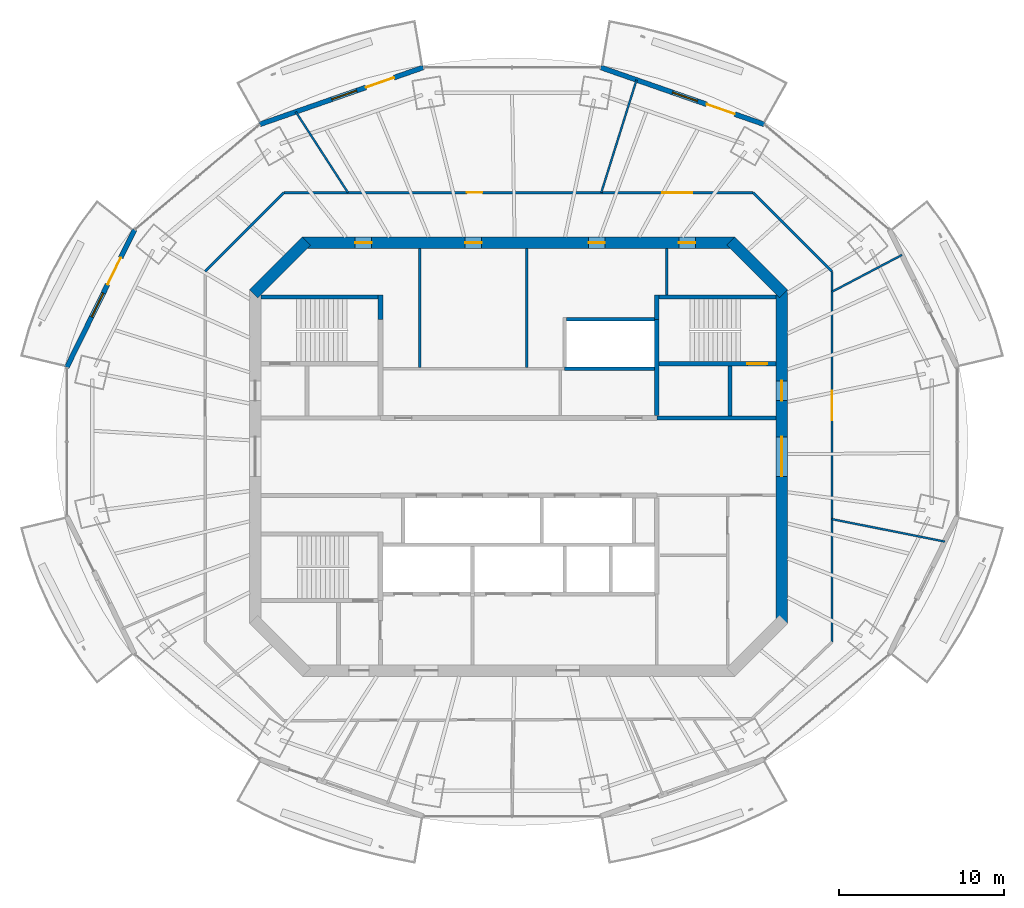
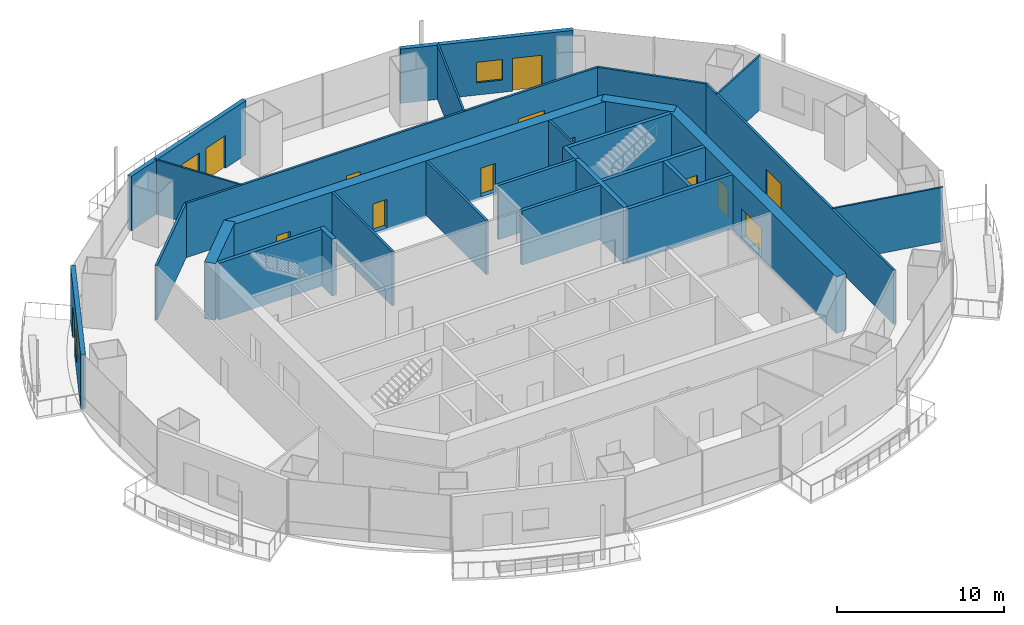
# One storey, part 10 of 16: 28 walls, 13 doors, 3 windows, 16 openings.
"""IFC4 building model written with IfcOpenShell, lengths in metres."""

from ifc_helpers import new_model, si_unit, direction, frame, frame_2d, origin, place, context, subcontext, project, spatial, rectangle, extrude, material, layer, layer_set, type_object, element, fill, save


model = new_model("IFC4")

# Units and contexts
model_context = context("Model", 3, precision=1e-05, world=origin(), true_north=direction((0.0, 1.0)))
body_context = subcontext(model_context, "Body", "Model", "MODEL_VIEW")
ifc_project = project(units=[si_unit("LENGTHUNIT", "METRE"), si_unit("AREAUNIT", "SQUARE_METRE"), si_unit("VOLUMEUNIT", "CUBIC_METRE"), si_unit("PLANEANGLEUNIT", "RADIAN"), si_unit("MASSUNIT", "GRAM", prefix="KILO")], contexts=[model_context])

# Site, building, storey
site_placement = place(None, origin())
site = spatial("IfcSite", under=ifc_project, at=site_placement, CompositionType="ELEMENT")
building_placement = place(site_placement, origin())
building = spatial("IfcBuilding", under=site, at=building_placement, Name="Marenthal Gate Tower", CompositionType="ELEMENT")
storey_placement = place(building_placement, frame((0.0, 0.0, 326.0)))
storey = spatial("IfcBuildingStorey", under=building, at=storey_placement, Name="L73", CompositionType="ELEMENT", Elevation=326.0)

# Wall, openings, doors
ifc_material_1 = material(Name="Concrete 60 MPa", Category="concrete")
ifc_layer_1 = layer(ifc_material_1, 0.699951171875)
ifc_layer_set_1 = layer_set([ifc_layer_1], Name="Core shear wall 700")
wall_type_1 = type_object("IfcWallType", Name="Core shear wall 700", PredefinedType="SHEAR", material=ifc_layer_set_1)
wall_1_placement = place(storey_placement, frame((16.0, -10.14501953125, -0.179931640625), z_axis=(0.0, 0.0, 1.0), x_axis=(0.0, 1.0, 0.0)))
wall_1 = element("IfcWall", 1, at=wall_1_placement, inside=storey, type_object=wall_type_1, Name="Core wall 02", PredefinedType="SHEAR", context=body_context, shape_type="SweptSolid", body=[
    extrude(rectangle(XDim=20.2900390625, YDim=0.699951171875, at=frame_2d((10.14501953125, 0.0))), origin(), (0.0, 0.0, 1.0), 4.14990234375),
])
opening_1_placement = place(wall_1_placement, frame((8.945068359375, 0.0, 0.179931640625)))
opening_1 = element("IfcOpeningElement", 2, at=opening_1_placement, cuts=wall_1, Name="Opening D003.02", PredefinedType="OPENING", context=body_context, shape_type="SweptSolid", body=[
    extrude(rectangle(XDim=2.39990234375, YDim=2.10009765625, at=frame_2d((1.199951171875, 1.050048828125))), frame((0.0, 0.35986328125, 0.0), z_axis=(0.0, -1.0, 0.0), x_axis=(1.0, 0.0, 0.0)), (0.0, 0.0, 1.0), 0.719970703125),
])
opening_2_placement = place(wall_1_placement, frame((13.544921875, 0.0, 0.179931640625)))
opening_2 = element("IfcOpeningElement", 3, at=opening_2_placement, cuts=wall_1, Name="Opening D001.05", PredefinedType="OPENING", context=body_context, shape_type="SweptSolid", body=[
    extrude(rectangle(XDim=1.199951171875, YDim=2.10009765625, at=frame_2d((0.60009765625, 1.050048828125))), frame((0.0, 0.35986328125, 0.0), z_axis=(0.0, -1.0, 0.0), x_axis=(1.0, 0.0, 0.0)), (0.0, 0.0, 1.0), 0.719970703125),
])
ifc_material_2 = material(Name="Steel fire door", Category="steel")
door_type_1 = type_object("IfcDoorType", Name="Double fire door FD 45 2400 x 2100", OperationType="DOUBLE_DOOR_SINGLE_SWING", PredefinedType="DOOR", material=ifc_material_2)
door_1_placement = place(opening_1_placement, origin())
door_1 = element("IfcDoor", 4, at=door_1_placement, inside=storey, type_object=door_type_1, Name="Door D003.02", OperationType="DOUBLE_DOOR_SINGLE_SWING", OverallHeight=2.10009765625, OverallWidth=2.39990234375, PredefinedType="DOOR", context=body_context, shape_type="SweptSolid", body=[
    extrude(rectangle(XDim=2.39990234375, YDim=2.10009765625, at=frame_2d((1.199951171875, 1.050048828125))), frame((0.0, 0.02490234375, 0.0), z_axis=(0.0, -1.0, 0.0), x_axis=(1.0, 0.0, 0.0)), (0.0, 0.0, 1.0), 0.050048828125),
])
fill(opening_1, door_1)
ifc_material_3 = material(Name="Steel fire door", Category="steel")
door_type_2 = type_object("IfcDoorType", Name="Fire door FD 90 1200 x 2100", OperationType="NOTDEFINED", PredefinedType="DOOR", material=ifc_material_3)
door_2_placement = place(opening_2_placement, origin())
door_2 = element("IfcDoor", 5, at=door_2_placement, inside=storey, type_object=door_type_2, Name="Door D001.05", OperationType="SINGLE_SWING_RIGHT", OverallHeight=2.10009765625, OverallWidth=1.199951171875, PredefinedType="DOOR", context=body_context, shape_type="SweptSolid", body=[
    extrude(rectangle(XDim=1.199951171875, YDim=2.10009765625, at=frame_2d((0.60009765625, 1.050048828125))), frame((0.0, 0.02490234375, 0.0), z_axis=(0.0, -1.0, 0.0), x_axis=(1.0, 0.0, 0.0)), (0.0, 0.0, 1.0), 0.050048828125),
])
fill(opening_2, door_2)

# Wall
wall_2_placement = place(storey_placement, frame((16.1025390625, 9.8974609375, -0.179931640625), z_axis=(0.0, 0.0, 1.0), x_axis=(-0.707106781187, 0.707106781187, 0.0)))
element("IfcWall", 6, at=wall_2_placement, inside=storey, type_object=wall_type_1, Name="Core wall 03", PredefinedType="SHEAR", context=body_context, shape_type="SweptSolid", body=[
    extrude(rectangle(XDim=4.53271484375, YDim=0.699951171875, at=frame_2d((2.266357421875, 0.0))), origin(), (0.0, 0.0, 1.0), 4.14990234375),
])

# Wall, openings, doors
wall_3_placement = place(storey_placement, frame((13.14501953125, 13.0, -0.179931640625), z_axis=(0.0, 0.0, 1.0), x_axis=(-1.0, 0.0, 0.0)))
wall_3 = element("IfcWall", 7, at=wall_3_placement, inside=storey, type_object=wall_type_1, Name="Core wall 04", PredefinedType="SHEAR", context=body_context, shape_type="SweptSolid", body=[
    extrude(rectangle(XDim=26.2900390625, YDim=0.699951171875, at=frame_2d((13.14501953125, 0.0))), origin(), (0.0, 0.0, 1.0), 4.14990234375),
])
opening_3_placement = place(wall_3_placement, frame((22.07275390625, 0.0, 0.179931640625)))
opening_3 = element("IfcOpeningElement", 8, at=opening_3_placement, cuts=wall_3, Name="Opening D005.03", PredefinedType="OPENING", context=body_context, shape_type="SweptSolid", body=[
    extrude(rectangle(XDim=1.0, YDim=2.10009765625, at=frame_2d((0.5, 1.050048828125))), frame((0.0, 0.35986328125, 0.0), z_axis=(0.0, -1.0, 0.0), x_axis=(1.0, 0.0, 0.0)), (0.0, 0.0, 1.0), 0.719970703125),
])
opening_4_placement = place(wall_3_placement, frame((15.39501953125, 0.0, 0.179931640625)))
opening_4 = element("IfcOpeningElement", 9, at=opening_4_placement, cuts=wall_3, Name="Opening D005.04", PredefinedType="OPENING", context=body_context, shape_type="SweptSolid", body=[
    extrude(rectangle(XDim=1.0, YDim=2.10009765625, at=frame_2d((0.5, 1.050048828125))), frame((0.0, 0.35986328125, 0.0), z_axis=(0.0, -1.0, 0.0), x_axis=(1.0, 0.0, 0.0)), (0.0, 0.0, 1.0), 0.719970703125),
])
opening_5_placement = place(wall_3_placement, frame((7.89501953125, 0.0, 0.179931640625)))
opening_5 = element("IfcOpeningElement", 10, at=opening_5_placement, cuts=wall_3, Name="Opening D005.05", PredefinedType="OPENING", context=body_context, shape_type="SweptSolid", body=[
    extrude(rectangle(XDim=1.0, YDim=2.10009765625, at=frame_2d((0.5, 1.050048828125))), frame((0.0, 0.35986328125, 0.0), z_axis=(0.0, -1.0, 0.0), x_axis=(1.0, 0.0, 0.0)), (0.0, 0.0, 1.0), 0.719970703125),
])
opening_6_placement = place(wall_3_placement, frame((2.39990234375, 0.0, 0.179931640625)))
opening_6 = element("IfcOpeningElement", 11, at=opening_6_placement, cuts=wall_3, Name="Opening D005.06", PredefinedType="OPENING", context=body_context, shape_type="SweptSolid", body=[
    extrude(rectangle(XDim=1.0, YDim=2.10009765625, at=frame_2d((0.5, 1.050048828125))), frame((0.0, 0.35986328125, 0.0), z_axis=(0.0, -1.0, 0.0), x_axis=(1.0, 0.0, 0.0)), (0.0, 0.0, 1.0), 0.719970703125),
])
ifc_material_4 = material(Name="Steel fire door", Category="steel")
door_type_3 = type_object("IfcDoorType", Name="Fire door FD 45 1000 x 2100", OperationType="NOTDEFINED", PredefinedType="DOOR", material=ifc_material_4)
door_3_placement = place(opening_3_placement, origin())
door_3 = element("IfcDoor", 12, at=door_3_placement, inside=storey, type_object=door_type_3, Name="Door D005.03", OperationType="SINGLE_SWING_RIGHT", OverallHeight=2.10009765625, OverallWidth=1.0, PredefinedType="DOOR", context=body_context, shape_type="SweptSolid", body=[
    extrude(rectangle(XDim=1.0, YDim=2.10009765625, at=frame_2d((0.5, 1.050048828125))), frame((0.0, 0.02490234375, 0.0), z_axis=(0.0, -1.0, 0.0), x_axis=(1.0, 0.0, 0.0)), (0.0, 0.0, 1.0), 0.050048828125),
])
fill(opening_3, door_3)
door_4_placement = place(opening_4_placement, origin())
door_4 = element("IfcDoor", 13, at=door_4_placement, inside=storey, type_object=door_type_3, Name="Door D005.04", OperationType="SINGLE_SWING_RIGHT", OverallHeight=2.10009765625, OverallWidth=1.0, PredefinedType="DOOR", context=body_context, shape_type="SweptSolid", body=[
    extrude(rectangle(XDim=1.0, YDim=2.10009765625, at=frame_2d((0.5, 1.050048828125))), frame((0.0, 0.02490234375, 0.0), z_axis=(0.0, -1.0, 0.0), x_axis=(1.0, 0.0, 0.0)), (0.0, 0.0, 1.0), 0.050048828125),
])
fill(opening_4, door_4)
door_5_placement = place(opening_5_placement, origin())
door_5 = element("IfcDoor", 14, at=door_5_placement, inside=storey, type_object=door_type_3, Name="Door D005.05", OperationType="SINGLE_SWING_RIGHT", OverallHeight=2.10009765625, OverallWidth=1.0, PredefinedType="DOOR", context=body_context, shape_type="SweptSolid", body=[
    extrude(rectangle(XDim=1.0, YDim=2.10009765625, at=frame_2d((0.5, 1.050048828125))), frame((0.0, 0.02490234375, 0.0), z_axis=(0.0, -1.0, 0.0), x_axis=(1.0, 0.0, 0.0)), (0.0, 0.0, 1.0), 0.050048828125),
])
fill(opening_5, door_5)
door_6_placement = place(opening_6_placement, origin())
door_6 = element("IfcDoor", 15, at=door_6_placement, inside=storey, type_object=door_type_3, Name="Door D005.06", OperationType="SINGLE_SWING_RIGHT", OverallHeight=2.10009765625, OverallWidth=1.0, PredefinedType="DOOR", context=body_context, shape_type="SweptSolid", body=[
    extrude(rectangle(XDim=1.0, YDim=2.10009765625, at=frame_2d((0.5, 1.050048828125))), frame((0.0, 0.02490234375, 0.0), z_axis=(0.0, -1.0, 0.0), x_axis=(1.0, 0.0, 0.0)), (0.0, 0.0, 1.0), 0.050048828125),
])
fill(opening_6, door_6)

# Walls
wall_4_placement = place(storey_placement, frame((-12.8974609375, 13.1025390625, -0.179931640625), z_axis=(0.0, 0.0, 1.0), x_axis=(-0.707106781187, -0.707106781187, 0.0)))
element("IfcWall", 16, at=wall_4_placement, inside=storey, type_object=wall_type_1, Name="Core wall 05", PredefinedType="SHEAR", context=body_context, shape_type="SweptSolid", body=[
    extrude(rectangle(XDim=4.53271484375, YDim=0.699951171875, at=frame_2d((2.266357421875, 0.0))), origin(), (0.0, 0.0, 1.0), 4.14990234375),
])
ifc_material_5 = material(Name="Concrete 50 MPa", Category="concrete")
ifc_layer_2 = layer(ifc_material_5, 0.300048828125)
ifc_layer_set_2 = layer_set([ifc_layer_2], Name="Hoistway shear wall 300")
wall_type_2 = type_object("IfcWallType", Name="Hoistway shear wall 300", PredefinedType="SHEAR", material=ifc_layer_set_2)
wall_5_placement = place(storey_placement, frame((8.39990234375, 2.5, -0.179931640625), z_axis=(0.0, 0.0, 1.0), x_axis=(0.0, 1.0, 0.0)))
element("IfcWall", 17, at=wall_5_placement, inside=storey, type_object=wall_type_2, Name="Hoistway wall 47", PredefinedType="SHEAR", context=body_context, shape_type="SweptSolid", body=[
    extrude(rectangle(XDim=5.85009765625, YDim=0.300048828125, at=frame_2d((2.925048828125, 0.0))), origin(), (0.0, 0.0, 1.0), 4.14990234375),
])
ifc_material_6 = material(Name="Concrete 40 MPa", Category="concrete")
ifc_layer_3 = layer(ifc_material_6, 0.219970703125)
ifc_layer_set_3 = layer_set([ifc_layer_3], Name="Hoistway wall 220")
wall_type_3 = type_object("IfcWallType", Name="Hoistway wall 220", PredefinedType="STANDARD", material=ifc_layer_set_3)
wall_6_placement = place(storey_placement, frame((2.800048828125, 5.35009765625, 0.0), z_axis=(0.0, 0.0, 1.0), x_axis=(1.0, 0.0, 0.0)))
element("IfcWall", 18, at=wall_6_placement, inside=storey, type_object=wall_type_3, Name="Hoistway wall 22", PredefinedType="STANDARD", context=body_context, shape_type="SweptSolid", body=[
    extrude(rectangle(XDim=5.449951171875, YDim=0.219970703125, at=frame_2d((2.72509765625, 0.0))), origin(), (0.0, 0.0, 1.0), 3.969970703125),
])
wall_7_placement = place(storey_placement, frame((2.909912109375, 8.35009765625, 0.0), z_axis=(0.0, 0.0, 1.0), x_axis=(1.0, 0.0, 0.0)))
element("IfcWall", 19, at=wall_7_placement, inside=storey, type_object=wall_type_3, Name="Hoistway wall 25", PredefinedType="STANDARD", context=body_context, shape_type="SweptSolid", body=[
    extrude(rectangle(XDim=5.340087890625, YDim=0.219970703125, at=frame_2d((2.669921875, 0.0))), origin(), (0.0, 0.0, 1.0), 3.969970703125),
])
ifc_material_7 = material(Name="Gypsum board on steel studs", Category="steel")
ifc_layer_4 = layer(ifc_material_7, 0.1201171875)
ifc_layer_set_4 = layer_set([ifc_layer_4], Name="Partition 120")
wall_type_4 = type_object("IfcWallType", Name="Partition 120", PredefinedType="PARTITIONING", material=ifc_layer_set_4)
wall_8_placement = place(storey_placement, frame((-10.37060546875, 16.050048828125, 0.0), z_axis=(0.0, 0.0, 1.0), x_axis=(-0.542726268586, 0.839909636441, 0.0)))
element("IfcWall", 20, at=wall_8_placement, inside=storey, type_object=wall_type_4, Name="Partition wall 57", PredefinedType="PARTITIONING", context=body_context, shape_type="SweptSolid", body=[
    extrude(rectangle(XDim=5.843505859375, YDim=0.1201171875, at=frame_2d((2.921875, 0.0))), origin(), (0.0, 0.0, 1.0), 3.969970703125),
])
wall_9_placement = place(storey_placement, frame((5.025634765625, 16.050048828125, 0.0), z_axis=(0.0, 0.0, 1.0), x_axis=(0.29884634182, 0.954301243833, 0.0)))
element("IfcWall", 21, at=wall_9_placement, inside=storey, type_object=wall_type_4, Name="Partition wall 61", PredefinedType="PARTITIONING", context=body_context, shape_type="SweptSolid", body=[
    extrude(rectangle(XDim=7.1767578125, YDim=0.1201171875, at=frame_2d((3.58837890625, 0.0))), origin(), (0.0, 0.0, 1.0), 3.969970703125),
])
wall_10_placement = place(storey_placement, frame((19.050048828125, -3.79736328125, 0.0), z_axis=(0.0, 0.0, 1.0), x_axis=(0.980706745877, -0.195484727258, 0.0)))
element("IfcWall", 22, at=wall_10_placement, inside=storey, type_object=wall_type_4, Name="Partition wall 67", PredefinedType="PARTITIONING", context=body_context, shape_type="SweptSolid", body=[
    extrude(rectangle(XDim=6.989990234375, YDim=0.1201171875, at=frame_2d((3.4951171875, 0.0))), origin(), (0.0, 0.0, 1.0), 3.969970703125),
])
wall_11_placement = place(storey_placement, frame((19.050048828125, 10.021728515625, 0.0), z_axis=(0.0, 0.0, 1.0), x_axis=(0.885000946398, 0.465589223323, 0.0)))
element("IfcWall", 23, at=wall_11_placement, inside=storey, type_object=wall_type_4, Name="Partition wall 68", PredefinedType="PARTITIONING", context=body_context, shape_type="SweptSolid", body=[
    extrude(rectangle(XDim=4.800537109375, YDim=0.1201171875, at=frame_2d((2.400390625, 0.0))), origin(), (0.0, 0.0, 1.0), 3.969970703125),
])
ifc_material_8 = material(Name="Gypsum board on steel studs", Category="steel")
ifc_layer_5 = layer(ifc_material_8, 0.14990234375)
ifc_layer_set_5 = layer_set([ifc_layer_5], Name="Partition 150")
wall_type_5 = type_object("IfcWallType", Name="Partition 150", PredefinedType="PARTITIONING", material=ifc_layer_set_5)
for number, where, z_axis, x_axis, name in (
    (24, (-6.0, 5.425048828125, 0.0), (0.0, 0.0, 1.0), (0.0, 1.0, 0.0), "Partition wall 35"),
    (25, (0.5, 5.425048828125, 0.0), (0.0, 0.0, 1.0), (0.0, 1.0, 0.0), "Partition wall 38"),
):
    element("IfcWall", number, at=place(storey_placement, frame(where, z_axis=z_axis, x_axis=x_axis)), inside=storey, type_object=wall_type_5, Name=name, PredefinedType="PARTITIONING", context=body_context, shape_type="SweptSolid", body=[
        extrude(rectangle(XDim=7.224853515625, YDim=0.14990234375, at=frame_2d((3.6123046875, 0.0))), origin(), (0.0, 0.0, 1.0), 3.969970703125),
    ])
wall_12_placement = place(storey_placement, frame((9.0, 9.824951171875, 0.0), z_axis=(0.0, 0.0, 1.0), x_axis=(0.0, 1.0, 0.0)))
element("IfcWall", 26, at=wall_12_placement, inside=storey, type_object=wall_type_5, Name="Partition wall 49", PredefinedType="PARTITIONING", context=body_context, shape_type="SweptSolid", body=[
    extrude(rectangle(XDim=2.824951171875, YDim=0.14990234375, at=frame_2d((1.41259765625, 0.0))), origin(), (0.0, 0.0, 1.0), 3.969970703125),
])
wall_13_placement = place(storey_placement, frame((-19.050048828125, 11.263427734375, 0.0), z_axis=(0.0, 0.0, 1.0), x_axis=(0.707106781187, 0.707106781187, 0.0)))
element("IfcWall", 27, at=wall_13_placement, inside=storey, type_object=wall_type_5, Name="Partition wall 54", PredefinedType="PARTITIONING", context=body_context, shape_type="SweptSolid", body=[
    extrude(rectangle(XDim=6.769287109375, YDim=0.14990234375, at=frame_2d((3.384765625, 0.0))), origin(), (0.0, 0.0, 1.0), 3.969970703125),
])

# Wall, openings, doors
wall_14_placement = place(storey_placement, frame((-14.263427734375, 16.050048828125, 0.0), z_axis=(0.0, 0.0, 1.0), x_axis=(1.0, 0.0, 0.0)))
wall_14 = element("IfcWall", 28, at=wall_14_placement, inside=storey, type_object=wall_type_5, Name="Partition wall 56", PredefinedType="PARTITIONING", context=body_context, shape_type="SweptSolid", body=[
    extrude(rectangle(XDim=28.52685546875, YDim=0.14990234375, at=frame_2d((14.263427734375, 0.0))), origin(), (0.0, 0.0, 1.0), 3.969970703125),
])
opening_7_placement = place(wall_14_placement, frame((23.008056640625, 0.0, 0.0)))
opening_7 = element("IfcOpeningElement", 29, at=opening_7_placement, cuts=wall_14, Name="Opening D014.01", PredefinedType="OPENING", context=body_context, shape_type="SweptSolid", body=[
    extrude(rectangle(XDim=1.800048828125, YDim=2.10009765625, at=frame_2d((0.89990234375, 1.050048828125))), frame((0.0, 0.0849609375, 0.0), z_axis=(0.0, -1.0, 0.0), x_axis=(1.0, 0.0, 0.0)), (0.0, 0.0, 1.0), 0.169921875),
])
opening_8_placement = place(wall_14_placement, frame((11.115966796875, 0.0, 0.0)))
opening_8 = element("IfcOpeningElement", 30, at=opening_8_placement, cuts=wall_14, Name="Opening D016.01", PredefinedType="OPENING", context=body_context, shape_type="SweptSolid", body=[
    extrude(rectangle(XDim=0.949951171875, YDim=2.10009765625, at=frame_2d((0.47509765625, 1.050048828125))), frame((0.0, 0.0849609375, 0.0), z_axis=(0.0, -1.0, 0.0), x_axis=(1.0, 0.0, 0.0)), (0.0, 0.0, 1.0), 0.169921875),
])
ifc_material_9 = material(Name="Timber door", Category="wood")
door_type_4 = type_object("IfcDoorType", Name="Door 950 x 2100", OperationType="NOTDEFINED", PredefinedType="DOOR", material=ifc_material_9)
door_7_placement = place(opening_8_placement, frame((0.949951171875, 0.0, 0.0), z_axis=(0.0, 0.0, 1.0), x_axis=(-1.0, 0.0, 0.0)))
door_7 = element("IfcDoor", 31, at=door_7_placement, inside=storey, type_object=door_type_4, Name="Door D016.01", OperationType="SINGLE_SWING_LEFT", OverallHeight=2.10009765625, OverallWidth=0.949951171875, PredefinedType="DOOR", context=body_context, shape_type="SweptSolid", body=[
    extrude(rectangle(XDim=0.949951171875, YDim=2.10009765625, at=frame_2d((0.47509765625, 1.050048828125))), frame((0.0, 0.02490234375, 0.0), z_axis=(0.0, -1.0, 0.0), x_axis=(1.0, 0.0, 0.0)), (0.0, 0.0, 1.0), 0.050048828125),
])
fill(opening_8, door_7)
ifc_material_10 = material(Name="Timber door", Category="wood")
door_type_5 = type_object("IfcDoorType", Name="Double door 1800 x 2100", OperationType="DOUBLE_DOOR_SINGLE_SWING", PredefinedType="DOOR", material=ifc_material_10)
door_8_placement = place(opening_7_placement, origin())
door_8 = element("IfcDoor", 32, at=door_8_placement, inside=storey, type_object=door_type_5, Name="Door D014.01", OperationType="DOUBLE_DOOR_SINGLE_SWING", OverallHeight=2.10009765625, OverallWidth=1.800048828125, PredefinedType="DOOR", context=body_context, shape_type="SweptSolid", body=[
    extrude(rectangle(XDim=1.800048828125, YDim=2.10009765625, at=frame_2d((0.89990234375, 1.050048828125))), frame((0.0, 0.02490234375, 0.0), z_axis=(0.0, -1.0, 0.0), x_axis=(1.0, 0.0, 0.0)), (0.0, 0.0, 1.0), 0.050048828125),
])
fill(opening_7, door_8)

# Wall
wall_15_placement = place(storey_placement, frame((14.263427734375, 16.050048828125, 0.0), z_axis=(0.0, 0.0, 1.0), x_axis=(0.707106781187, -0.707106781187, 0.0)))
element("IfcWall", 33, at=wall_15_placement, inside=storey, type_object=wall_type_5, Name="Partition wall 65", PredefinedType="PARTITIONING", context=body_context, shape_type="SweptSolid", body=[
    extrude(rectangle(XDim=6.769287109375, YDim=0.14990234375, at=frame_2d((3.384765625, 0.0))), origin(), (0.0, 0.0, 1.0), 3.969970703125),
])

# Wall, opening, door
wall_16_placement = place(storey_placement, frame((19.050048828125, 11.263427734375, 0.0), z_axis=(0.0, 0.0, 1.0), x_axis=(0.0, -1.0, 0.0)))
wall_16 = element("IfcWall", 34, at=wall_16_placement, inside=storey, type_object=wall_type_5, Name="Partition wall 69", PredefinedType="PARTITIONING", context=body_context, shape_type="SweptSolid", body=[
    extrude(rectangle(XDim=22.52685546875, YDim=0.14990234375, at=frame_2d((11.263427734375, 0.0))), origin(), (0.0, 0.0, 1.0), 3.969970703125),
])
opening_9_placement = place(wall_16_placement, frame((7.2509765625, 0.0, 0.0)))
opening_9 = element("IfcOpeningElement", 35, at=opening_9_placement, cuts=wall_16, Name="Opening D014.03", PredefinedType="OPENING", context=body_context, shape_type="SweptSolid", body=[
    extrude(rectangle(XDim=1.800048828125, YDim=2.10009765625, at=frame_2d((0.89990234375, 1.050048828125))), frame((0.0, 0.0849609375, 0.0), z_axis=(0.0, -1.0, 0.0), x_axis=(1.0, 0.0, 0.0)), (0.0, 0.0, 1.0), 0.169921875),
])
door_9_placement = place(opening_9_placement, origin())
door_9 = element("IfcDoor", 36, at=door_9_placement, inside=storey, type_object=door_type_5, Name="Door D014.03", OperationType="DOUBLE_DOOR_SINGLE_SWING", OverallHeight=2.10009765625, OverallWidth=1.800048828125, PredefinedType="DOOR", context=body_context, shape_type="SweptSolid", body=[
    extrude(rectangle(XDim=1.800048828125, YDim=2.10009765625, at=frame_2d((0.89990234375, 1.050048828125))), frame((0.0, 0.02490234375, 0.0), z_axis=(0.0, -1.0, 0.0), x_axis=(1.0, 0.0, 0.0)), (0.0, 0.0, 1.0), 0.050048828125),
])
fill(opening_9, door_9)

# Walls
ifc_material_11 = material(Name="Concrete 40 MPa", Category="concrete")
ifc_layer_6 = layer(ifc_material_11, 0.25)
ifc_layer_set_6 = layer_set([ifc_layer_6], Name="Stair enclosure wall 250")
wall_type_6 = type_object("IfcWallType", Name="Stair enclosure wall 250", PredefinedType="STANDARD", material=ifc_layer_set_6)
wall_17_placement = place(storey_placement, frame((8.39990234375, 2.35009765625, 0.0), z_axis=(0.0, 0.0, 1.0), x_axis=(1.0, 0.0, 0.0)))
element("IfcWall", 37, at=wall_17_placement, inside=storey, type_object=wall_type_6, Name="Stair wall 20", PredefinedType="STANDARD", context=body_context, shape_type="SweptSolid", body=[
    extrude(rectangle(XDim=7.25, YDim=0.25, at=frame_2d((3.625, 0.0))), origin(), (0.0, 0.0, 1.0), 3.969970703125),
])
wall_18_placement = place(storey_placement, frame((12.85009765625, 2.47509765625, 0.0), z_axis=(0.0, 0.0, 1.0), x_axis=(0.0, 1.0, 0.0)))
element("IfcWall", 38, at=wall_18_placement, inside=storey, type_object=wall_type_6, Name="Stair wall 51", PredefinedType="STANDARD", context=body_context, shape_type="SweptSolid", body=[
    extrude(rectangle(XDim=3.0498046875, YDim=0.25, at=frame_2d((1.52490234375, 0.0))), origin(), (0.0, 0.0, 1.0), 3.969970703125),
])

# Wall, opening, door
ifc_material_12 = material(Name="Concrete 50 MPa", Category="concrete")
ifc_layer_7 = layer(ifc_material_12, 0.25)
ifc_layer_set_7 = layer_set([ifc_layer_7], Name="Stair shear wall 250")
wall_type_7 = type_object("IfcWallType", Name="Stair shear wall 250", PredefinedType="SHEAR", material=ifc_layer_set_7)
wall_19_placement = place(storey_placement, frame((8.550048828125, 5.64990234375, -0.179931640625), z_axis=(0.0, 0.0, 1.0), x_axis=(1.0, 0.0, 0.0)))
wall_19 = element("IfcWall", 39, at=wall_19_placement, inside=storey, type_object=wall_type_7, Name="Stair wall 24", PredefinedType="SHEAR", context=body_context, shape_type="SweptSolid", body=[
    extrude(rectangle(XDim=7.099853515625, YDim=0.25, at=frame_2d((3.5498046875, 0.0))), origin(), (0.0, 0.0, 1.0), 4.14990234375),
])
opening_10_placement = place(wall_19_placement, frame((5.35009765625, 0.0, 0.179931640625)))
opening_10 = element("IfcOpeningElement", 40, at=opening_10_placement, cuts=wall_19, Name="Opening D001.02", PredefinedType="OPENING", context=body_context, shape_type="SweptSolid", body=[
    extrude(rectangle(XDim=1.199951171875, YDim=2.10009765625, at=frame_2d((0.60009765625, 1.050048828125))), frame((0.0, 0.135009765625, 0.0), z_axis=(0.0, -1.0, 0.0), x_axis=(1.0, 0.0, 0.0)), (0.0, 0.0, 1.0), 0.27001953125),
])
door_10_placement = place(opening_10_placement, origin())
door_10 = element("IfcDoor", 41, at=door_10_placement, inside=storey, type_object=door_type_2, Name="Door D001.02", OperationType="SINGLE_SWING_RIGHT", OverallHeight=2.10009765625, OverallWidth=1.199951171875, PredefinedType="DOOR", context=body_context, shape_type="SweptSolid", body=[
    extrude(rectangle(XDim=1.199951171875, YDim=2.10009765625, at=frame_2d((0.60009765625, 1.050048828125))), frame((0.0, 0.02490234375, 0.0), z_axis=(0.0, -1.0, 0.0), x_axis=(1.0, 0.0, 0.0)), (0.0, 0.0, 1.0), 0.050048828125),
])
fill(opening_10, door_10)

# Walls
for number, where, z_axis, x_axis, name in (
    (42, (-15.64990234375, 9.699951171875, -0.179931640625), (0.0, 0.0, 1.0), (1.0, 0.0, 0.0), "Stair wall 26"),
    (43, (8.550048828125, 9.699951171875, -0.179931640625), (0.0, 0.0, 1.0), (1.0, 0.0, 0.0), "Stair wall 27"),
):
    element("IfcWall", number, at=place(storey_placement, frame(where, z_axis=z_axis, x_axis=x_axis)), inside=storey, type_object=wall_type_7, Name=name, PredefinedType="SHEAR", context=body_context, shape_type="SweptSolid", body=[
        extrude(rectangle(XDim=7.099853515625, YDim=0.25, at=frame_2d((3.5498046875, 0.0))), origin(), (0.0, 0.0, 1.0), 4.14990234375),
    ])
ifc_material_13 = material(Name="Concrete 50 MPa", Category="concrete")
ifc_layer_8 = layer(ifc_material_13, 0.300048828125)
ifc_layer_set_8 = layer_set([ifc_layer_8], Name="Stair shear wall 300")
wall_type_8 = type_object("IfcWallType", Name="Stair shear wall 300", PredefinedType="SHEAR", material=ifc_layer_set_8)
for number, where, z_axis, x_axis, name in (
    (44, (-8.39990234375, 8.35009765625, -0.179931640625), (0.0, 0.0, 1.0), (0.0, 1.0, 0.0), "Stair wall 33"),
    (45, (8.39990234375, 8.35009765625, -0.179931640625), (0.0, 0.0, 1.0), (0.0, 1.0, 0.0), "Stair wall 48"),
):
    element("IfcWall", number, at=place(storey_placement, frame(where, z_axis=z_axis, x_axis=x_axis)), inside=storey, type_object=wall_type_8, Name=name, PredefinedType="SHEAR", context=body_context, shape_type="SweptSolid", body=[
        extrude(rectangle(XDim=1.474853515625, YDim=0.300048828125, at=frame_2d((0.7373046875, 0.0))), origin(), (0.0, 0.0, 1.0), 4.14990234375),
    ])

# Wall, openings, door, window
ifc_material_14 = material(Name="Terracotta cladding on insulated concrete-block backing", Category="masonry")
ifc_layer_9 = layer(ifc_material_14, 0.300048828125)
ifc_layer_set_9 = layer_set([ifc_layer_9], Name="Terracotta facade wall 300")
wall_type_9 = type_object("IfcWallType", Name="Terracotta facade wall 300", PredefinedType="SOLIDWALL", material=ifc_layer_set_9)
wall_20_placement = place(storey_placement, frame((14.92919921875, 20.19580078125, 0.0), z_axis=(0.0, 0.0, 1.0), x_axis=(-0.944327184146, 0.329007855959, 0.0)))
wall_20 = element("IfcWall", 46, at=wall_20_placement, inside=storey, type_object=wall_type_9, Name="Terracotta facade wall L73 bay 3", PredefinedType="SOLIDWALL", context=body_context, shape_type="SweptSolid", body=[
    extrude(rectangle(XDim=10.53271484375, YDim=0.300048828125, at=frame_2d((5.266357421875, 0.0))), origin(), (0.0, 0.0, 1.0), 3.969970703125),
])
opening_11_placement = place(wall_20_placement, frame((1.89990234375, 0.0, 0.0)))
opening_11 = element("IfcOpeningElement", 47, at=opening_11_placement, cuts=wall_20, Name="Opening BD-L73-03", PredefinedType="OPENING", context=body_context, shape_type="SweptSolid", body=[
    extrude(rectangle(XDim=1.800048828125, YDim=2.39990234375, at=frame_2d((0.89990234375, 1.199951171875))), frame((0.0, 0.16015625, 0.0), z_axis=(0.0, -1.0, 0.0), x_axis=(1.0, 0.0, 0.0)), (0.0, 0.0, 1.0), 0.320068359375),
])
opening_12_placement = place(wall_20_placement, frame((4.300048828125, 0.0, 0.89990234375)))
opening_12 = element("IfcOpeningElement", 48, at=opening_12_placement, cuts=wall_20, Name="Opening WN3-L73-03", PredefinedType="OPENING", context=body_context, shape_type="SweptSolid", body=[
    extrude(rectangle(XDim=1.60009765625, YDim=1.5, at=frame_2d((0.800048828125, 0.75))), frame((0.0, 0.16015625, 0.0), z_axis=(0.0, -1.0, 0.0), x_axis=(1.0, 0.0, 0.0)), (0.0, 0.0, 1.0), 0.320068359375),
])
ifc_material_15 = material(Name="Aluminium and glass", Category="aluminium")
door_type_6 = type_object("IfcDoorType", Name="Balcony door 1800x2400", OperationType="DOUBLE_DOOR_SINGLE_SWING", PredefinedType="DOOR", material=ifc_material_15)
door_11_placement = place(opening_11_placement, origin())
door_11 = element("IfcDoor", 49, at=door_11_placement, inside=storey, type_object=door_type_6, Name="Balcony door L73 bay 3", OperationType="SINGLE_SWING_LEFT", OverallHeight=2.39990234375, OverallWidth=1.800048828125, PredefinedType="DOOR", context=body_context, shape_type="SweptSolid", body=[
    extrude(rectangle(XDim=1.800048828125, YDim=2.39990234375, at=frame_2d((0.89990234375, 1.199951171875))), frame((0.0, 0.02490234375, 0.0), z_axis=(0.0, -1.0, 0.0), x_axis=(1.0, 0.0, 0.0)), (0.0, 0.0, 1.0), 0.050048828125),
])
fill(opening_11, door_11)
ifc_material_16 = material(Name="Aluminium and glass", Category="aluminium")
window_type = type_object("IfcWindowType", Name="Window 1600x1500", PartitioningType="DOUBLE_PANEL_VERTICAL", PredefinedType="WINDOW", material=ifc_material_16)
window_1_placement = place(opening_12_placement, origin())
window_1 = element("IfcWindow", 50, at=window_1_placement, inside=storey, type_object=window_type, Name="Window L73 bay 3", OverallHeight=1.5, OverallWidth=1.60009765625, PartitioningType="SINGLE_PANEL", PredefinedType="WINDOW", context=body_context, shape_type="SweptSolid", body=[
    extrude(rectangle(XDim=1.60009765625, YDim=1.5, at=frame_2d((0.800048828125, 0.75))), frame((0.0, 0.030029296875, 0.0), z_axis=(0.0, -1.0, 0.0), x_axis=(1.0, 0.0, 0.0)), (0.0, 0.0, 1.0), 0.06005859375),
])
fill(opening_12, window_1)

wall_21_placement = place(storey_placement, frame((-5.782958984375, 23.6611328125, 0.0), z_axis=(0.0, 0.0, 1.0), x_axis=(-0.944327184146, -0.329007855959, 0.0)))
wall_21 = element("IfcWall", 51, at=wall_21_placement, inside=storey, type_object=wall_type_9, Name="Terracotta facade wall L73 bay 5", PredefinedType="SOLIDWALL", context=body_context, shape_type="SweptSolid", body=[
    extrude(rectangle(XDim=10.53271484375, YDim=0.300048828125, at=frame_2d((5.266357421875, 0.0))), origin(), (0.0, 0.0, 1.0), 3.969970703125),
])
opening_13_placement = place(wall_21_placement, frame((1.89990234375, 0.0, 0.0)))
opening_13 = element("IfcOpeningElement", 52, at=opening_13_placement, cuts=wall_21, Name="Opening BD-L73-05", PredefinedType="OPENING", context=body_context, shape_type="SweptSolid", body=[
    extrude(rectangle(XDim=1.800048828125, YDim=2.39990234375, at=frame_2d((0.89990234375, 1.199951171875))), frame((0.0, 0.16015625, 0.0), z_axis=(0.0, -1.0, 0.0), x_axis=(1.0, 0.0, 0.0)), (0.0, 0.0, 1.0), 0.320068359375),
])
opening_14_placement = place(wall_21_placement, frame((4.300048828125, 0.0, 0.89990234375)))
opening_14 = element("IfcOpeningElement", 53, at=opening_14_placement, cuts=wall_21, Name="Opening WN3-L73-05", PredefinedType="OPENING", context=body_context, shape_type="SweptSolid", body=[
    extrude(rectangle(XDim=1.60009765625, YDim=1.5, at=frame_2d((0.800048828125, 0.75))), frame((0.0, 0.16015625, 0.0), z_axis=(0.0, -1.0, 0.0), x_axis=(1.0, 0.0, 0.0)), (0.0, 0.0, 1.0), 0.320068359375),
])
door_12_placement = place(opening_13_placement, origin())
door_12 = element("IfcDoor", 54, at=door_12_placement, inside=storey, type_object=door_type_6, Name="Balcony door L73 bay 5", OperationType="SINGLE_SWING_LEFT", OverallHeight=2.39990234375, OverallWidth=1.800048828125, PredefinedType="DOOR", context=body_context, shape_type="SweptSolid", body=[
    extrude(rectangle(XDim=1.800048828125, YDim=2.39990234375, at=frame_2d((0.89990234375, 1.199951171875))), frame((0.0, 0.02490234375, 0.0), z_axis=(0.0, -1.0, 0.0), x_axis=(1.0, 0.0, 0.0)), (0.0, 0.0, 1.0), 0.050048828125),
])
fill(opening_13, door_12)
window_2_placement = place(opening_14_placement, origin())
window_2 = element("IfcWindow", 55, at=window_2_placement, inside=storey, type_object=window_type, Name="Window L73 bay 5", OverallHeight=1.5, OverallWidth=1.60009765625, PartitioningType="SINGLE_PANEL", PredefinedType="WINDOW", context=body_context, shape_type="SweptSolid", body=[
    extrude(rectangle(XDim=1.60009765625, YDim=1.5, at=frame_2d((0.800048828125, 0.75))), frame((0.0, 0.030029296875, 0.0), z_axis=(0.0, -1.0, 0.0), x_axis=(1.0, 0.0, 0.0)), (0.0, 0.0, 1.0), 0.06005859375),
])
fill(opening_14, window_2)

wall_22_placement = place(storey_placement, frame((-23.341796875, 13.793212890625, 0.0), z_axis=(0.0, 0.0, 1.0), x_axis=(-0.441822778199, -0.897102353505, 0.0)))
wall_22 = element("IfcWall", 56, at=wall_22_placement, inside=storey, type_object=wall_type_9, Name="Terracotta facade wall L73 bay 7", PredefinedType="SOLIDWALL", context=body_context, shape_type="SweptSolid", body=[
    extrude(rectangle(XDim=9.3251953125, YDim=0.300048828125, at=frame_2d((4.66259765625, 0.0))), origin(), (0.0, 0.0, 1.0), 3.969970703125),
])
opening_15_placement = place(wall_22_placement, frame((1.89990234375, 0.0, 0.0)))
opening_15 = element("IfcOpeningElement", 57, at=opening_15_placement, cuts=wall_22, Name="Opening BD-L73-07", PredefinedType="OPENING", context=body_context, shape_type="SweptSolid", body=[
    extrude(rectangle(XDim=1.800048828125, YDim=2.39990234375, at=frame_2d((0.89990234375, 1.199951171875))), frame((0.0, 0.16015625, 0.0), z_axis=(0.0, -1.0, 0.0), x_axis=(1.0, 0.0, 0.0)), (0.0, 0.0, 1.0), 0.320068359375),
])
opening_16_placement = place(wall_22_placement, frame((4.300048828125, 0.0, 0.89990234375)))
opening_16 = element("IfcOpeningElement", 58, at=opening_16_placement, cuts=wall_22, Name="Opening WN3-L73-07", PredefinedType="OPENING", context=body_context, shape_type="SweptSolid", body=[
    extrude(rectangle(XDim=1.60009765625, YDim=1.5, at=frame_2d((0.800048828125, 0.75))), frame((0.0, 0.16015625, 0.0), z_axis=(0.0, -1.0, 0.0), x_axis=(1.0, 0.0, 0.0)), (0.0, 0.0, 1.0), 0.320068359375),
])
door_13_placement = place(opening_15_placement, origin())
door_13 = element("IfcDoor", 59, at=door_13_placement, inside=storey, type_object=door_type_6, Name="Balcony door L73 bay 7", OperationType="SINGLE_SWING_LEFT", OverallHeight=2.39990234375, OverallWidth=1.800048828125, PredefinedType="DOOR", context=body_context, shape_type="SweptSolid", body=[
    extrude(rectangle(XDim=1.800048828125, YDim=2.39990234375, at=frame_2d((0.89990234375, 1.199951171875))), frame((0.0, 0.02490234375, 0.0), z_axis=(0.0, -1.0, 0.0), x_axis=(1.0, 0.0, 0.0)), (0.0, 0.0, 1.0), 0.050048828125),
])
fill(opening_15, door_13)
window_3_placement = place(opening_16_placement, origin())
window_3 = element("IfcWindow", 60, at=window_3_placement, inside=storey, type_object=window_type, Name="Window L73 bay 7", OverallHeight=1.5, OverallWidth=1.60009765625, PartitioningType="SINGLE_PANEL", PredefinedType="WINDOW", context=body_context, shape_type="SweptSolid", body=[
    extrude(rectangle(XDim=1.60009765625, YDim=1.5, at=frame_2d((0.800048828125, 0.75))), frame((0.0, 0.030029296875, 0.0), z_axis=(0.0, -1.0, 0.0), x_axis=(1.0, 0.0, 0.0)), (0.0, 0.0, 1.0), 0.06005859375),
])
fill(opening_16, window_3)

save(model, "model.ifc")
